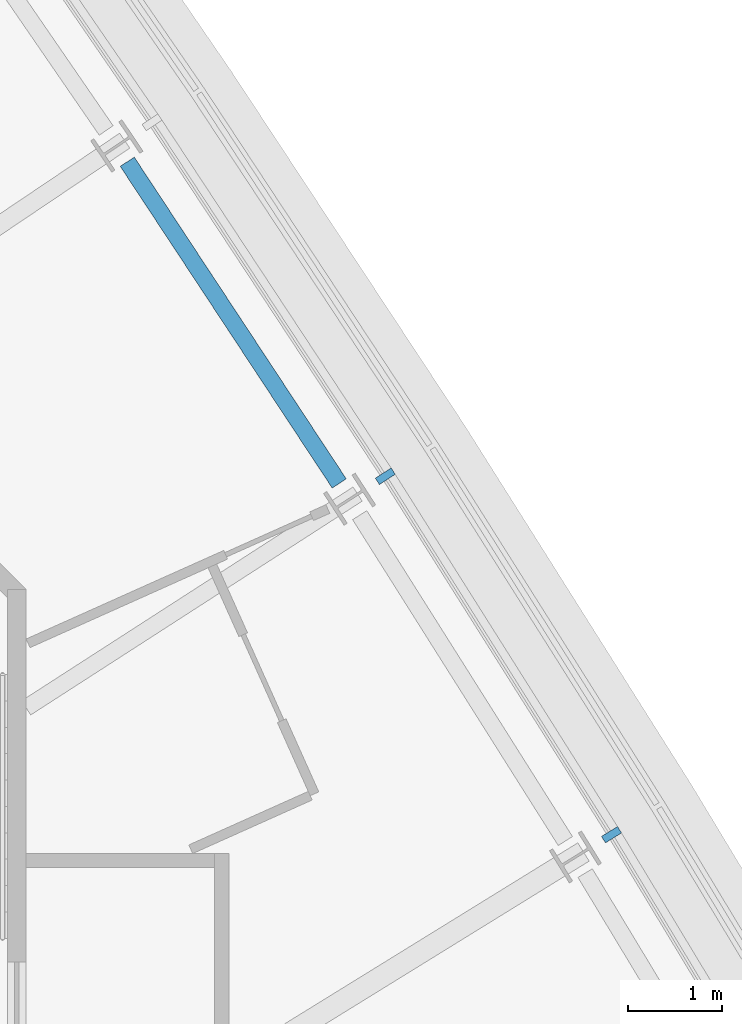
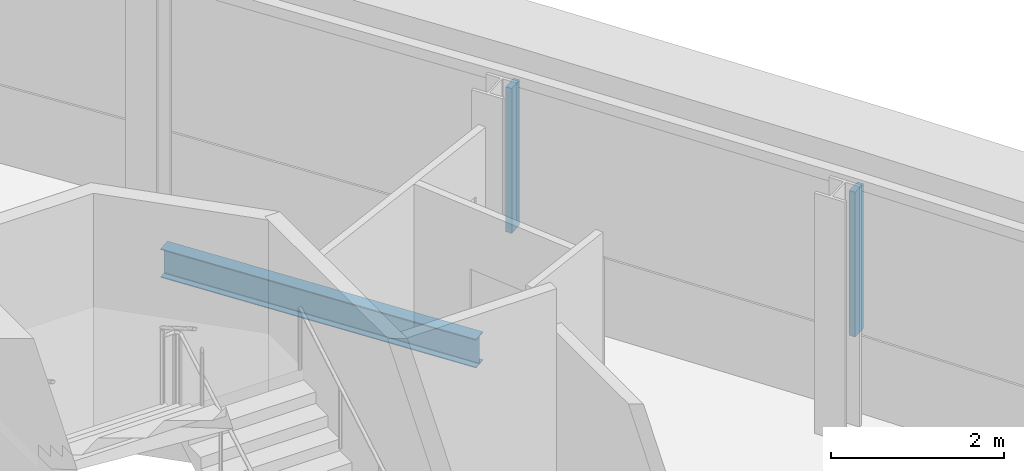
# One storey, part 9 of 17: 2 members, 1 beam, 1 element without a shape of its own.
"""IFC4 building model written with IfcOpenShell, lengths in metres."""

import ifcopenshell
import ifcopenshell.guid

model = None  # the IFC model being written
_history = None  # IfcOwnerHistory: only IFC2X3 demands one
_inside = {}  # id of a spatial element -> (the spatial element, [elements in it])
_under = {}  # id of a project, library or spatial element -> (it, [spatial elements below it])
_declared = {}  # id of a project -> (the project, [libraries it declares])
_typed = {}  # id of a type object -> (the type object, [elements of that type])
_made_of = {}  # id of a material, layer set ... -> (it, [elements and type objects made of it])


def new_model(schema):
    """Start an empty IFC model of exactly this schema.

    Asked for "IFC4X3", IfcOpenShell would pick the latest addendum, in which some entities
    have other attributes; the version numbers below select the first issue.
    IFC2X3 requires an IfcOwnerHistory on every rooted entity: one is made here for all.
    """
    global model, _history
    if schema == "IFC4X3":
        model = ifcopenshell.file(schema_version=(4, 3, 0, 0))
    else:
        model = ifcopenshell.file(schema=schema)
    _inside.clear()
    _under.clear()
    _declared.clear()
    _typed.clear()
    _made_of.clear()
    _history = None
    if model.schema == "IFC2X3":
        org = make("IfcOrganization", Name="unknown")
        user = make(
            "IfcPersonAndOrganization",
            ThePerson=make("IfcPerson", FamilyName="unknown"),
            TheOrganization=org,
        )
        app = make(
            "IfcApplication",
            ApplicationDeveloper=org,
            Version="unknown",
            ApplicationFullName="unknown",
            ApplicationIdentifier="unknown",
        )
        _history = make(
            "IfcOwnerHistory",
            OwningUser=user,
            OwningApplication=app,
            ChangeAction="ADDED",
            CreationDate=0,
        )
    return model


def make(cls, **values):
    """One entity of the class cls with the attributes given. An attribute that is None is left unset."""
    return model.create_entity(
        cls, **{name: value for name, value in values.items() if value is not None}
    )


def rooted(cls, **values):
    """An entity with a GlobalId (a new one), such as an element, a storey or a relation."""
    return make(cls, GlobalId=ifcopenshell.guid.new(), OwnerHistory=_history, **values)


def si_unit(unit_type, name, prefix=None):
    """IfcSIUnit, for example si_unit("LENGTHUNIT", "METRE", prefix="MILLI")."""
    return make("IfcSIUnit", UnitType=unit_type, Prefix=prefix, Name=name)


def assignment(units):
    """IfcUnitAssignment: the units of a project."""
    return None if units is None else make("IfcUnitAssignment", Units=units)


def point(xyz):
    """IfcCartesianPoint."""
    return None if xyz is None else make("IfcCartesianPoint", Coordinates=xyz)


def direction(xyz):
    """IfcDirection."""
    return None if xyz is None else make("IfcDirection", DirectionRatios=xyz)


def frame(location, z_axis=None, x_axis=None):
    """IfcAxis2Placement3D, a coordinate frame: its origin and axes. An axis left out is left unset."""
    return make(
        "IfcAxis2Placement3D",
        Location=point(location),
        Axis=direction(z_axis),
        RefDirection=direction(x_axis),
    )


def frame_2d(location, x_axis=None):
    """IfcAxis2Placement2D, a coordinate frame in the plane: its origin and x axis."""
    return make(
        "IfcAxis2Placement2D", Location=point(location), RefDirection=direction(x_axis)
    )


def origin():
    """The frame at (0, 0, 0) with its axes left unset."""
    return frame((0.0, 0.0, 0.0))


def origin_2d():
    """The frame at (0, 0) in the plane with its x axis left unset."""
    return frame_2d((0.0, 0.0))


def place(relative_to, where):
    """IfcLocalPlacement: puts the frame where relative to a parent placement (None: the world)."""
    return make(
        "IfcLocalPlacement", PlacementRelTo=relative_to, RelativePlacement=where
    )


def context(
    kind, dimensions, precision=None, world=None, true_north=None, identifier=None
):
    """IfcGeometricRepresentationContext, for example the 3D "Model" context."""
    return make(
        "IfcGeometricRepresentationContext",
        ContextIdentifier=identifier,
        ContextType=kind,
        CoordinateSpaceDimension=dimensions,
        Precision=precision,
        WorldCoordinateSystem=world,
        TrueNorth=true_north,
    )


def subcontext(parent, identifier, kind, view, scale=None):
    """IfcGeometricRepresentationSubContext, for example "Body" below "Model"."""
    return make(
        "IfcGeometricRepresentationSubContext",
        ContextIdentifier=identifier,
        ContextType=kind,
        ParentContext=parent,
        TargetScale=scale,
        TargetView=view,
    )


def project(units=None, contexts=None):
    """IfcProject with its units and contexts."""
    return rooted(
        "IfcProject",
        Name="project",
        RepresentationContexts=contexts,
        UnitsInContext=assignment(units),
    )


def spatial(cls, under=None, at=None, **own):
    """A site, building, storey or space (cls), placed at a placement, below another one or the project."""
    s = rooted(cls, ObjectPlacement=at, **own)
    if under is not None:
        _under.setdefault(under.id(), (under, []))[1].append(s)
    return s


def profile(cls, at=None, kind="AREA", **sizes):
    """A parametric profile (cls). Its sizes go by their IFC names, for example OverallWidth=200.0."""
    return make(cls, ProfileType=kind, Position=at, **sizes)


def rectangle(**sizes):
    """IfcRectangleProfileDef."""
    return profile("IfcRectangleProfileDef", **sizes)


def i_section(**sizes):
    """IfcIShapeProfileDef."""
    return profile("IfcIShapeProfileDef", **sizes)


def extrude(swept, where, along, depth):
    """IfcExtrudedAreaSolid: the profile swept, set in the frame where, extruded along a direction by depth."""
    return make(
        "IfcExtrudedAreaSolid",
        SweptArea=swept,
        Position=where,
        ExtrudedDirection=direction(along),
        Depth=depth,
    )


def shape(context_of_items, identifier, shape_type, items):
    """IfcShapeRepresentation: the items that make up one representation, for example the "Body"."""
    return make(
        "IfcShapeRepresentation",
        ContextOfItems=context_of_items,
        RepresentationIdentifier=identifier,
        RepresentationType=shape_type,
        Items=items,
    )


def material(Name=None, Category=None):
    """IfcMaterial."""
    return make("IfcMaterial", Name=Name, Category=Category)


def material_profile(
    of_material, cross_section, Name=None, Category=None, Priority=None
):
    """IfcMaterialProfile: a cross section and its material."""
    return make(
        "IfcMaterialProfile",
        Name=Name,
        Material=of_material,
        Profile=cross_section,
        Priority=Priority,
        Category=Category,
    )


def profile_set(profiles, Name=None, composite=None):
    """IfcMaterialProfileSet."""
    return make(
        "IfcMaterialProfileSet",
        Name=Name,
        MaterialProfiles=profiles,
        CompositeProfile=composite,
    )


def made_of(thing, what):
    """Note that an element or type object is made of a material, layer set ...; save() writes the relation."""
    if what is not None:
        _made_of.setdefault(what.id(), (what, []))[1].append(thing)
    return thing


def type_object(cls, material=None, **own):
    """A type object (cls), such as IfcWallType, which elements share."""
    return made_of(rooted(cls, **own), material)


def element(
    cls,
    number,
    at=None,
    inside=None,
    cuts=None,
    type_object=None,
    material=None,
    context=None,
    identifier="Body",
    shape_type=None,
    held_by="IfcProductDefinitionShape",
    body=None,
    shapes=None,
    **own,
):
    """One element of the class cls, such as IfcWall. Its Tag is "e" and its number.

    at: its placement. inside: the storey or other place that contains it. cuts: it is an
    opening in that element (IfcRelVoidsElement). A single representation is given by context,
    identifier, shape_type and body (its items); several are given by shapes. held_by: the class
    of the entity that holds the representations. save() writes the other relations.
    """
    e = rooted(cls, Tag="e%d" % number, ObjectPlacement=at, **own)
    if body is not None:
        shapes = [shape(context, identifier, shape_type, body)]
    if shapes is not None:
        e.Representation = make(held_by, Representations=shapes)
    if inside is not None:
        _inside.setdefault(inside.id(), (inside, []))[1].append(e)
    if cuts is not None:
        rooted(
            "IfcRelVoidsElement", RelatingBuildingElement=cuts, RelatedOpeningElement=e
        )
    if type_object is not None:
        _typed.setdefault(type_object.id(), (type_object, []))[1].append(e)
    return made_of(e, material)


def aggregate(whole, parts):
    """IfcRelAggregates: a whole, such as a stair, and the parts it consists of."""
    return rooted("IfcRelAggregates", RelatingObject=whole, RelatedObjects=parts)


def save(model, path):
    """Write the relations noted so far, then the file.

    IfcRelAggregates (storeys below a building ...), IfcRelContainedInSpatialStructure (elements
    in a storey), IfcRelDefinesByType, IfcRelAssociatesMaterial and IfcRelDeclares: one each for
    every whole, place, type object, material and project.
    """
    for whole, parts in _under.values():
        aggregate(whole, parts)
    for where, things in _inside.values():
        rooted(
            "IfcRelContainedInSpatialStructure",
            RelatedElements=things,
            RelatingStructure=where,
        )
    for kind, things in _typed.values():
        rooted("IfcRelDefinesByType", RelatedObjects=things, RelatingType=kind)
    for what, things in _made_of.values():
        rooted("IfcRelAssociatesMaterial", RelatedObjects=things, RelatingMaterial=what)
    for by, libraries in _declared.values():
        rooted("IfcRelDeclares", RelatingContext=by, RelatedDefinitions=libraries)
    model.write(path)


model = new_model("IFC4")

# Units and contexts
model_context = context("Model", 3, precision=1e-05, world=origin(), true_north=direction((0.0, 1.0)))
body_context = subcontext(model_context, "Body", "Model", "MODEL_VIEW")
ifc_project = project(units=[si_unit("LENGTHUNIT", "METRE"), si_unit("AREAUNIT", "SQUARE_METRE"), si_unit("VOLUMEUNIT", "CUBIC_METRE"), si_unit("PLANEANGLEUNIT", "RADIAN"), si_unit("MASSUNIT", "GRAM", prefix="KILO")], contexts=[model_context])

# Site, building, storey
site_placement = place(None, origin())
site = spatial("IfcSite", under=ifc_project, at=site_placement, CompositionType="ELEMENT")
building_placement = place(site_placement, origin())
building = spatial("IfcBuilding", under=site, at=building_placement, Name="Noor Cloister Tower", CompositionType="ELEMENT")
storey_placement = place(building_placement, frame((0.0, 0.0, 98.699951171875)))
storey = spatial("IfcBuildingStorey", under=building, at=storey_placement, Name="L25", CompositionType="ELEMENT", Elevation=98.699951171875)

# Curtain wall, members
ifc_material_1 = material(Name="Aluminium 6063-T6 anodised", Category="aluminium")
curtain_wall_type = type_object("IfcCurtainWallType", Name="Ribbon curtain wall, lower tower CW1", PredefinedType="NOTDEFINED", material=ifc_material_1)
curtain_wall_placement = place(storey_placement, origin())
curtain_wall = element("IfcCurtainWall", 1, at=curtain_wall_placement, inside=storey, type_object=curtain_wall_type, Name="CW1 L25 NE run 4", PredefinedType="NOTDEFINED")
ifc_material_2 = material(Name="Aluminium 6063-T6 anodised", Category="aluminium")
ifc_material_profile_1 = material_profile(ifc_material_2, rectangle(XDim=0.199951171875, YDim=0.080078125, at=origin_2d()), Name="200 x 80 mullion")
ifc_profile_set_1 = profile_set([ifc_material_profile_1], Name="Aluminium 6063-T6 anodised")
member_type = type_object("IfcMemberType", Name="Mullion CW1 80 x 200", PredefinedType="MULLION", material=ifc_profile_set_1)
member_1_placement = place(storey_placement, frame((11.546875, 14.456298828125, 1.10009765625), z_axis=(0.0, 0.0, 1.0), x_axis=(-0.850887652489, -0.525347697094, 0.0)))
member_1 = element("IfcMember", 2, at=member_1_placement, type_object=member_type, Name="CW1 mullion 7", PredefinedType="MULLION", context=body_context, shape_type="SweptSolid", body=[
    extrude(rectangle(XDim=0.199951171875, YDim=0.080078125, at=origin_2d()), origin(), (0.0, 0.0, 1.0), 2.050048828125),
])
member_2_placement = place(storey_placement, frame((9.146240234375, 18.260009765625, 1.10009765625), z_axis=(0.0, 0.0, 1.0), x_axis=(-0.840382937583, -0.541993097945, 0.0)))
member_2 = element("IfcMember", 3, at=member_2_placement, type_object=member_type, Name="CW1 mullion 8", PredefinedType="MULLION", context=body_context, shape_type="SweptSolid", body=[
    extrude(rectangle(XDim=0.199951171875, YDim=0.080078125, at=origin_2d()), origin(), (0.0, 0.0, 1.0), 2.050048828125),
])
aggregate(curtain_wall, [member_1, member_2])

# Beam
ifc_material_3 = material(Name="Steel ASTM A992 Gr 50", Category="steel")
ifc_material_profile_2 = material_profile(ifc_material_3, i_section(OverallWidth=0.177978515625, OverallDepth=0.406005859375, WebThickness=0.0078125, FlangeThickness=0.0126953125, FilletRadius=0.01025390625, at=origin_2d()), Name="W410x60")
ifc_profile_set_2 = profile_set([ifc_material_profile_2], Name="Steel ASTM A992 Gr 50")
beam_type = type_object("IfcBeamType", Name="Spandrel beam W410x60", PredefinedType="SPANDREL", material=ifc_profile_set_2)
beam_placement = place(storey_placement, frame((8.65771484375, 18.18359375, -0.40283203125), z_axis=(-0.550254695105, 0.834996868566, 0.0), x_axis=(-0.834996868566, -0.550254695105, 0.0)))
element("IfcBeam", 4, at=beam_placement, inside=storey, type_object=beam_type, Name="Spandrel beam NE 08 L25", PredefinedType="SPANDREL", context=body_context, shape_type="SweptSolid", body=[
    extrude(i_section(OverallWidth=0.177978515625, OverallDepth=0.406005859375, WebThickness=0.0078125, FlangeThickness=0.0126953125, FilletRadius=0.01025390625, at=origin_2d()), origin(), (0.0, 0.0, 1.0), 4.088134765625),
])

save(model, "model.ifc")
